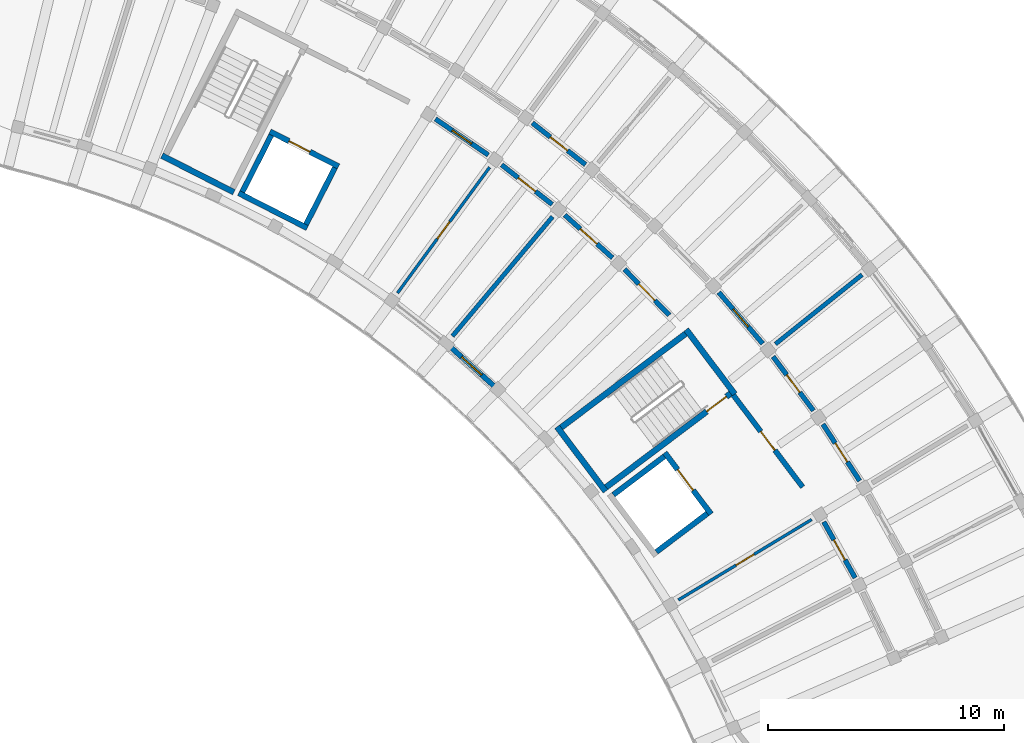
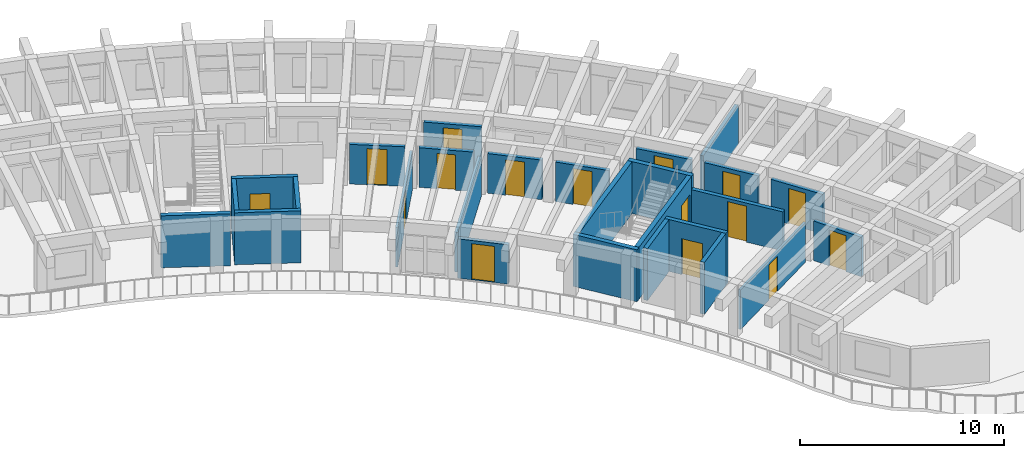
# One storey, part 42 of 62: 27 walls, 16 doors, 16 openings.
"""IFC4 building model written with IfcOpenShell, lengths in metres."""

from ifc_helpers import new_model, si_unit, direction, frame, frame_2d, origin, place, context, subcontext, project, spatial, rectangle, extrude, material, layer, layer_set, type_object, element, fill, save


model = new_model("IFC4")

# Units and contexts
model_context = context("Model", 3, precision=1e-05, world=origin(), true_north=direction((0.0, 1.0)))
body_context = subcontext(model_context, "Body", "Model", "MODEL_VIEW")
ifc_project = project(units=[si_unit("LENGTHUNIT", "METRE"), si_unit("AREAUNIT", "SQUARE_METRE"), si_unit("VOLUMEUNIT", "CUBIC_METRE"), si_unit("PLANEANGLEUNIT", "RADIAN"), si_unit("MASSUNIT", "GRAM", prefix="KILO")], contexts=[model_context])

# Site, building, storey
site_placement = place(None, origin())
site = spatial("IfcSite", under=ifc_project, at=site_placement, CompositionType="ELEMENT")
building_placement = place(site_placement, origin())
building = spatial("IfcBuilding", under=site, at=building_placement, Name="Tanwirah Colonnade Gardens", CompositionType="ELEMENT")
storey_placement = place(building_placement, frame((0.0, 0.0, 32.360107421875)))
storey = spatial("IfcBuildingStorey", under=building, at=storey_placement, Name="L09", CompositionType="ELEMENT", Elevation=32.360107421875)

# Wall, opening, door
ifc_material_1 = material(Name="Limestone architectural precast concrete C40/50", Category="masonry")
ifc_layer_1 = layer(ifc_material_1, 0.219970703125)
ifc_layer_set_1 = layer_set([ifc_layer_1], Name="Limestone architectural precast concrete C40/50")
wall_type_1 = type_object("IfcWallType", Name="EW-PC220", PredefinedType="SOLIDWALL", material=ifc_layer_set_1)
wall_1_placement = place(storey_placement, frame((151.589599609375, 92.441162109375, 0.0), z_axis=(0.0, 0.0, 1.0), x_axis=(-0.744432975017, 0.667697196121, 0.0)))
wall_1 = element("IfcWall", 1, at=wall_1_placement, inside=storey, type_object=wall_type_1, Name="Block B L09 IN Precast Facade Wall 8", PredefinedType="SOLIDWALL", context=body_context, shape_type="SweptSolid", body=[
    extrude(rectangle(XDim=2.545166015625, YDim=0.219970703125, at=frame_2d((1.2724609375, 0.0))), origin(), (0.0, 0.0, 1.0), 2.35498046875),
])
opening_1_placement = place(wall_1_placement, frame((0.70263671875, 0.0, 0.0)))
opening_1 = element("IfcOpeningElement", 2, at=opening_1_placement, cuts=wall_1, Name="Opening L09-ED111", PredefinedType="OPENING", context=body_context, shape_type="SweptSolid", body=[
    extrude(rectangle(XDim=1.139892578125, YDim=2.159912109375, at=frame_2d((0.56982421875, 1.080078125))), frame((0.0, 0.119873046875, 0.0), z_axis=(0.0, -1.0, 0.0), x_axis=(1.0, 0.0, 0.0)), (0.0, 0.0, 1.0), 0.239990234375),
])
ifc_material_2 = material(Name="Bronze aluminium glazed balcony door", Category="aluminium")
door_type_1 = type_object("IfcDoorType", Name="ED-BAL114", OperationType="NOTDEFINED", PredefinedType="DOOR", material=ifc_material_2)
door_1_placement = place(opening_1_placement, origin())
door_1 = element("IfcDoor", 3, at=door_1_placement, inside=storey, type_object=door_type_1, Name="Balcony glazed door L09-ED111", OperationType="SINGLE_SWING_RIGHT", OverallHeight=2.159912109375, OverallWidth=1.139892578125, PredefinedType="DOOR", context=body_context, shape_type="SweptSolid", body=[
    extrude(rectangle(XDim=1.139892578125, YDim=2.159912109375, at=frame_2d((0.56982421875, 1.080078125))), frame((0.0, 0.02490234375, 0.0), z_axis=(0.0, -1.0, 0.0), x_axis=(1.0, 0.0, 0.0)), (0.0, 0.0, 1.0), 0.050048828125),
])
fill(opening_1, door_1)

ifc_material_3 = material(Name="Precast concrete C40/50", Category="concrete")
ifc_layer_2 = layer(ifc_material_3, 0.205078125)
ifc_layer_set_2 = layer_set([ifc_layer_2], Name="Precast concrete C40/50")
wall_type_2 = type_object("IfcWallType", Name="IW-CORR205", PredefinedType="PARTITIONING", material=ifc_layer_set_2)
wall_2_placement = place(storey_placement, frame((166.89013671875, 84.313232421875, 0.0), z_axis=(0.0, 0.0, 1.0), x_axis=(-0.48819576874, 0.872734147025, 0.0)))
wall_2 = element("IfcWall", 4, at=wall_2_placement, inside=storey, type_object=wall_type_2, Name="Block B L09 IN Corridor Wall 3", PredefinedType="PARTITIONING", context=body_context, shape_type="SweptSolid", body=[
    extrude(rectangle(XDim=2.718017578125, YDim=0.205078125, at=frame_2d((1.35888671875, 0.0))), origin(), (0.0, 0.0, 1.0), 2.369873046875),
])
opening_2_placement = place(wall_2_placement, frame((0.8740234375, 0.0, 0.0)))
opening_2 = element("IfcOpeningElement", 5, at=opening_2_placement, cuts=wall_2, Name="Opening L09-AD1167", PredefinedType="OPENING", context=body_context, shape_type="SweptSolid", body=[
    extrude(rectangle(XDim=0.969970703125, YDim=2.14990234375, at=frame_2d((0.48486328125, 1.074951171875))), frame((0.0, 0.112548828125, 0.0), z_axis=(0.0, -1.0, 0.0), x_axis=(1.0, 0.0, 0.0)), (0.0, 0.0, 1.0), 0.22509765625),
])
ifc_material_4 = material(Name="Solid oak fire-resisting apartment entrance door")
door_type_2 = type_object("IfcDoorType", Name="ID-FLT097", OperationType="NOTDEFINED", PredefinedType="DOOR", material=ifc_material_4)
door_2_placement = place(opening_2_placement, origin())
door_2 = element("IfcDoor", 6, at=door_2_placement, inside=storey, type_object=door_type_2, Name="Apartment corridor door L09-AD1167", OperationType="SINGLE_SWING_RIGHT", OverallHeight=2.14990234375, OverallWidth=0.969970703125, PredefinedType="DOOR", context=body_context, shape_type="SweptSolid", body=[
    extrude(rectangle(XDim=0.969970703125, YDim=2.14990234375, at=frame_2d((0.48486328125, 1.074951171875))), frame((0.0, 0.02490234375, 0.0), z_axis=(0.0, -1.0, 0.0), x_axis=(1.0, 0.0, 0.0)), (0.0, 0.0, 1.0), 0.050048828125),
])
fill(opening_2, door_2)

wall_3_placement = place(storey_placement, frame((167.085205078125, 88.421142578125, 0.0), z_axis=(0.0, 0.0, 1.0), x_axis=(-0.544643612649, 0.838667595178, 0.0)))
wall_3 = element("IfcWall", 7, at=wall_3_placement, inside=storey, type_object=wall_type_2, Name="Block B L09 OUT Corridor Wall 4", PredefinedType="PARTITIONING", context=body_context, shape_type="SweptSolid", body=[
    extrude(rectangle(XDim=2.863037109375, YDim=0.205078125, at=frame_2d((1.431640625, 0.0))), origin(), (0.0, 0.0, 1.0), 2.369873046875),
])
opening_3_placement = place(wall_3_placement, frame((0.95654296875, 0.0, 0.0)))
opening_3 = element("IfcOpeningElement", 8, at=opening_3_placement, cuts=wall_3, Name="Opening L09-AD1169", PredefinedType="OPENING", context=body_context, shape_type="SweptSolid", body=[
    extrude(rectangle(XDim=0.949951171875, YDim=2.1298828125, at=frame_2d((0.47509765625, 1.06494140625))), frame((0.0, 0.112548828125, 0.0), z_axis=(0.0, -1.0, 0.0), x_axis=(1.0, 0.0, 0.0)), (0.0, 0.0, 1.0), 0.22509765625),
])
door_type_3 = type_object("IfcDoorType", Name="ID-FLT095", OperationType="NOTDEFINED", PredefinedType="DOOR", material=ifc_material_4)
door_3_placement = place(opening_3_placement, origin())
door_3 = element("IfcDoor", 9, at=door_3_placement, inside=storey, type_object=door_type_3, Name="Apartment corridor door L09-AD1169", OperationType="SINGLE_SWING_RIGHT", OverallHeight=2.1298828125, OverallWidth=0.949951171875, PredefinedType="DOOR", context=body_context, shape_type="SweptSolid", body=[
    extrude(rectangle(XDim=0.949951171875, YDim=2.1298828125, at=frame_2d((0.47509765625, 1.06494140625))), frame((0.0, 0.02490234375, 0.0), z_axis=(0.0, -1.0, 0.0), x_axis=(1.0, 0.0, 0.0)), (0.0, 0.0, 1.0), 0.050048828125),
])
fill(opening_3, door_3)

wall_4_placement = place(storey_placement, frame((165.125732421875, 91.396240234375, 0.0), z_axis=(0.0, 0.0, 1.0), x_axis=(-0.598757763243, 0.800930172335, 0.0)))
wall_4 = element("IfcWall", 10, at=wall_4_placement, inside=storey, type_object=wall_type_2, Name="Block B L09 OUT Corridor Wall 5", PredefinedType="PARTITIONING", context=body_context, shape_type="SweptSolid", body=[
    extrude(rectangle(XDim=2.86328125, YDim=0.205078125, at=frame_2d((1.431640625, 0.0))), origin(), (0.0, 0.0, 1.0), 2.369873046875),
])
opening_4_placement = place(wall_4_placement, frame((0.966552734375, 0.0, 0.0)))
opening_4 = element("IfcOpeningElement", 11, at=opening_4_placement, cuts=wall_4, Name="Opening L09-AD1170", PredefinedType="OPENING", context=body_context, shape_type="SweptSolid", body=[
    extrude(rectangle(XDim=0.929931640625, YDim=2.1201171875, at=frame_2d((0.46484375, 1.06005859375))), frame((0.0, 0.112548828125, 0.0), z_axis=(0.0, -1.0, 0.0), x_axis=(1.0, 0.0, 0.0)), (0.0, 0.0, 1.0), 0.22509765625),
])
door_type_4 = type_object("IfcDoorType", Name="ID-FLT093", OperationType="NOTDEFINED", PredefinedType="DOOR", material=ifc_material_4)
door_4_placement = place(opening_4_placement, origin())
door_4 = element("IfcDoor", 12, at=door_4_placement, inside=storey, type_object=door_type_4, Name="Apartment corridor door L09-AD1170", OperationType="SINGLE_SWING_LEFT", OverallHeight=2.1201171875, OverallWidth=0.929931640625, PredefinedType="DOOR", context=body_context, shape_type="SweptSolid", body=[
    extrude(rectangle(XDim=0.929931640625, YDim=2.1201171875, at=frame_2d((0.46484375, 1.06005859375))), frame((0.0, 0.02490234375, 0.0), z_axis=(0.0, -1.0, 0.0), x_axis=(1.0, 0.0, 0.0)), (0.0, 0.0, 1.0), 0.050048828125),
])
fill(opening_4, door_4)

wall_5_placement = place(storey_placement, frame((162.974365234375, 94.23583984375, 0.0), z_axis=(0.0, 0.0, 1.0), x_axis=(-0.650194272684, 0.759767996015, 0.0)))
wall_5 = element("IfcWall", 13, at=wall_5_placement, inside=storey, type_object=wall_type_2, Name="Block B L09 OUT Corridor Wall 6", PredefinedType="PARTITIONING", context=body_context, shape_type="SweptSolid", body=[
    extrude(rectangle(XDim=2.863037109375, YDim=0.205078125, at=frame_2d((1.431640625, 0.0))), origin(), (0.0, 0.0, 1.0), 2.369873046875),
])
opening_5_placement = place(wall_5_placement, frame((0.9365234375, 0.0, 0.0)))
opening_5 = element("IfcOpeningElement", 14, at=opening_5_placement, cuts=wall_5, Name="Opening L09-AD1171", PredefinedType="OPENING", context=body_context, shape_type="SweptSolid", body=[
    extrude(rectangle(XDim=0.989990234375, YDim=2.159912109375, at=frame_2d((0.4951171875, 1.080078125))), frame((0.0, 0.112548828125, 0.0), z_axis=(0.0, -1.0, 0.0), x_axis=(1.0, 0.0, 0.0)), (0.0, 0.0, 1.0), 0.22509765625),
])
door_type_5 = type_object("IfcDoorType", Name="ID-FLT099", OperationType="NOTDEFINED", PredefinedType="DOOR", material=ifc_material_4)
door_5_placement = place(opening_5_placement, origin())
door_5 = element("IfcDoor", 15, at=door_5_placement, inside=storey, type_object=door_type_5, Name="Apartment corridor door L09-AD1171", OperationType="SINGLE_SWING_RIGHT", OverallHeight=2.159912109375, OverallWidth=0.989990234375, PredefinedType="DOOR", context=body_context, shape_type="SweptSolid", body=[
    extrude(rectangle(XDim=0.989990234375, YDim=2.159912109375, at=frame_2d((0.4951171875, 1.080078125))), frame((0.0, 0.02490234375, 0.0), z_axis=(0.0, -1.0, 0.0), x_axis=(1.0, 0.0, 0.0)), (0.0, 0.0, 1.0), 0.050048828125),
])
fill(opening_5, door_5)

wall_6_placement = place(storey_placement, frame((159.01708984375, 95.442626953125, 0.0), z_axis=(0.0, 0.0, 1.0), x_axis=(-0.698840007829, 0.715278018296, 0.0)))
wall_6 = element("IfcWall", 16, at=wall_6_placement, inside=storey, type_object=wall_type_2, Name="Block B L09 IN Corridor Wall 7", PredefinedType="PARTITIONING", context=body_context, shape_type="SweptSolid", body=[
    extrude(rectangle(XDim=2.718017578125, YDim=0.205078125, at=frame_2d((1.35888671875, 0.0))), origin(), (0.0, 0.0, 1.0), 2.369873046875),
])
opening_6_placement = place(wall_6_placement, frame((0.8740234375, 0.0, 0.0)))
opening_6 = element("IfcOpeningElement", 17, at=opening_6_placement, cuts=wall_6, Name="Opening L09-AD1174", PredefinedType="OPENING", context=body_context, shape_type="SweptSolid", body=[
    extrude(rectangle(XDim=0.969970703125, YDim=2.14990234375, at=frame_2d((0.48486328125, 1.074951171875))), frame((0.0, 0.112548828125, 0.0), z_axis=(0.0, -1.0, 0.0), x_axis=(1.0, 0.0, 0.0)), (0.0, 0.0, 1.0), 0.22509765625),
])
door_6_placement = place(opening_6_placement, origin())
door_6 = element("IfcDoor", 18, at=door_6_placement, inside=storey, type_object=door_type_2, Name="Apartment corridor door L09-AD1174", OperationType="SINGLE_SWING_RIGHT", OverallHeight=2.14990234375, OverallWidth=0.969970703125, PredefinedType="DOOR", context=body_context, shape_type="SweptSolid", body=[
    extrude(rectangle(XDim=0.969970703125, YDim=2.14990234375, at=frame_2d((0.48486328125, 1.074951171875))), frame((0.0, 0.02490234375, 0.0), z_axis=(0.0, -1.0, 0.0), x_axis=(1.0, 0.0, 0.0)), (0.0, 0.0, 1.0), 0.050048828125),
])
fill(opening_6, door_6)

wall_7_placement = place(storey_placement, frame((156.612548828125, 97.870849609375, 0.0), z_axis=(0.0, 0.0, 1.0), x_axis=(-0.744418559135, 0.667713268413, 0.0)))
wall_7 = element("IfcWall", 19, at=wall_7_placement, inside=storey, type_object=wall_type_2, Name="Block B L09 IN Corridor Wall 8", PredefinedType="PARTITIONING", context=body_context, shape_type="SweptSolid", body=[
    extrude(rectangle(XDim=2.71826171875, YDim=0.205078125, at=frame_2d((1.359130859375, 0.0))), origin(), (0.0, 0.0, 1.0), 2.369873046875),
])
opening_7_placement = place(wall_7_placement, frame((0.884033203125, 0.0, 0.0)))
opening_7 = element("IfcOpeningElement", 20, at=opening_7_placement, cuts=wall_7, Name="Opening L09-AD1176", PredefinedType="OPENING", context=body_context, shape_type="SweptSolid", body=[
    extrude(rectangle(XDim=0.949951171875, YDim=2.1298828125, at=frame_2d((0.47509765625, 1.06494140625))), frame((0.0, 0.112548828125, 0.0), z_axis=(0.0, -1.0, 0.0), x_axis=(1.0, 0.0, 0.0)), (0.0, 0.0, 1.0), 0.22509765625),
])
door_7_placement = place(opening_7_placement, origin())
door_7 = element("IfcDoor", 21, at=door_7_placement, inside=storey, type_object=door_type_3, Name="Apartment corridor door L09-AD1176", OperationType="SINGLE_SWING_LEFT", OverallHeight=2.1298828125, OverallWidth=0.949951171875, PredefinedType="DOOR", context=body_context, shape_type="SweptSolid", body=[
    extrude(rectangle(XDim=0.949951171875, YDim=2.1298828125, at=frame_2d((0.47509765625, 1.06494140625))), frame((0.0, 0.02490234375, 0.0), z_axis=(0.0, -1.0, 0.0), x_axis=(1.0, 0.0, 0.0)), (0.0, 0.0, 1.0), 0.050048828125),
])
fill(opening_7, door_7)

wall_8_placement = place(storey_placement, frame((155.46728515625, 101.82080078125, 0.0), z_axis=(0.0, 0.0, 1.0), x_axis=(-0.786806323554, 0.617199975061, 0.0)))
wall_8 = element("IfcWall", 22, at=wall_8_placement, inside=storey, type_object=wall_type_2, Name="Block B L09 OUT Corridor Wall 9", PredefinedType="PARTITIONING", context=body_context, shape_type="SweptSolid", body=[
    extrude(rectangle(XDim=2.863037109375, YDim=0.205078125, at=frame_2d((1.431640625, 0.0))), origin(), (0.0, 0.0, 1.0), 2.369873046875),
])
opening_8_placement = place(wall_8_placement, frame((0.966552734375, 0.0, 0.0)))
opening_8 = element("IfcOpeningElement", 23, at=opening_8_placement, cuts=wall_8, Name="Opening L09-AD1178", PredefinedType="OPENING", context=body_context, shape_type="SweptSolid", body=[
    extrude(rectangle(XDim=0.929931640625, YDim=2.1201171875, at=frame_2d((0.46484375, 1.06005859375))), frame((0.0, 0.112548828125, 0.0), z_axis=(0.0, -1.0, 0.0), x_axis=(1.0, 0.0, 0.0)), (0.0, 0.0, 1.0), 0.22509765625),
])
door_8_placement = place(opening_8_placement, origin())
door_8 = element("IfcDoor", 24, at=door_8_placement, inside=storey, type_object=door_type_4, Name="Apartment corridor door L09-AD1178", OperationType="SINGLE_SWING_LEFT", OverallHeight=2.1201171875, OverallWidth=0.929931640625, PredefinedType="DOOR", context=body_context, shape_type="SweptSolid", body=[
    extrude(rectangle(XDim=0.929931640625, YDim=2.1201171875, at=frame_2d((0.46484375, 1.06005859375))), frame((0.0, 0.02490234375, 0.0), z_axis=(0.0, -1.0, 0.0), x_axis=(1.0, 0.0, 0.0)), (0.0, 0.0, 1.0), 0.050048828125),
])
fill(opening_8, door_8)

wall_9_placement = place(storey_placement, frame((154.05322265625, 100.135498046875, 0.0), z_axis=(0.0, 0.0, 1.0), x_axis=(-0.786835457019, 0.617162833924, 0.0)))
wall_9 = element("IfcWall", 25, at=wall_9_placement, inside=storey, type_object=wall_type_2, Name="Block B L09 IN Corridor Wall 9", PredefinedType="PARTITIONING", context=body_context, shape_type="SweptSolid", body=[
    extrude(rectangle(XDim=2.718017578125, YDim=0.205078125, at=frame_2d((1.35888671875, 0.0))), origin(), (0.0, 0.0, 1.0), 2.369873046875),
])
opening_9_placement = place(wall_9_placement, frame((0.89404296875, 0.0, 0.0)))
opening_9 = element("IfcOpeningElement", 26, at=opening_9_placement, cuts=wall_9, Name="Opening L09-AD1179", PredefinedType="OPENING", context=body_context, shape_type="SweptSolid", body=[
    extrude(rectangle(XDim=0.929931640625, YDim=2.1201171875, at=frame_2d((0.46484375, 1.06005859375))), frame((0.0, 0.112548828125, 0.0), z_axis=(0.0, -1.0, 0.0), x_axis=(1.0, 0.0, 0.0)), (0.0, 0.0, 1.0), 0.22509765625),
])
door_9_placement = place(opening_9_placement, origin())
door_9 = element("IfcDoor", 27, at=door_9_placement, inside=storey, type_object=door_type_4, Name="Apartment corridor door L09-AD1179", OperationType="SINGLE_SWING_RIGHT", OverallHeight=2.1201171875, OverallWidth=0.929931640625, PredefinedType="DOOR", context=body_context, shape_type="SweptSolid", body=[
    extrude(rectangle(XDim=0.929931640625, YDim=2.1201171875, at=frame_2d((0.46484375, 1.06005859375))), frame((0.0, 0.02490234375, 0.0), z_axis=(0.0, -1.0, 0.0), x_axis=(1.0, 0.0, 0.0)), (0.0, 0.0, 1.0), 0.050048828125),
])
fill(opening_9, door_9)

wall_10_placement = place(storey_placement, frame((151.35009765625, 102.226318359375, 0.0), z_axis=(0.0, 0.0, 1.0), x_axis=(-0.825752009056, 0.56403334967, 0.0)))
wall_10 = element("IfcWall", 28, at=wall_10_placement, inside=storey, type_object=wall_type_2, Name="Block B L09 IN Corridor Wall 10", PredefinedType="PARTITIONING", context=body_context, shape_type="SweptSolid", body=[
    extrude(rectangle(XDim=2.71826171875, YDim=0.205078125, at=frame_2d((1.359130859375, 0.0))), origin(), (0.0, 0.0, 1.0), 2.369873046875),
])
opening_10_placement = place(wall_10_placement, frame((0.864013671875, 0.0, 0.0)))
opening_10 = element("IfcOpeningElement", 29, at=opening_10_placement, cuts=wall_10, Name="Opening L09-AD1182", PredefinedType="OPENING", context=body_context, shape_type="SweptSolid", body=[
    extrude(rectangle(XDim=0.989990234375, YDim=2.159912109375, at=frame_2d((0.4951171875, 1.080078125))), frame((0.0, 0.112548828125, 0.0), z_axis=(0.0, -1.0, 0.0), x_axis=(1.0, 0.0, 0.0)), (0.0, 0.0, 1.0), 0.22509765625),
])
door_10_placement = place(opening_10_placement, origin())
door_10 = element("IfcDoor", 30, at=door_10_placement, inside=storey, type_object=door_type_5, Name="Apartment corridor door L09-AD1182", OperationType="SINGLE_SWING_LEFT", OverallHeight=2.159912109375, OverallWidth=0.989990234375, PredefinedType="DOOR", context=body_context, shape_type="SweptSolid", body=[
    extrude(rectangle(XDim=0.989990234375, YDim=2.159912109375, at=frame_2d((0.4951171875, 1.080078125))), frame((0.0, 0.02490234375, 0.0), z_axis=(0.0, -1.0, 0.0), x_axis=(1.0, 0.0, 0.0)), (0.0, 0.0, 1.0), 0.050048828125),
])
fill(opening_10, door_10)

# Walls
ifc_layer_3 = layer(ifc_material_3, 0.18505859375)
ifc_layer_set_3 = layer_set([ifc_layer_3], Name="Precast concrete C40/50")
wall_type_3 = type_object("IfcWallType", Name="IW-DEM185", PredefinedType="PARTITIONING", material=ifc_layer_set_3)
wall_11_placement = place(storey_placement, frame((163.51416015625, 94.2197265625, 0.0), z_axis=(0.0, 0.0, 1.0), x_axis=(0.780807994362, 0.624771058821, 0.0)))
element("IfcWall", 31, at=wall_11_placement, inside=storey, type_object=wall_type_3, Name="Block B L09 Radial Partition 5", PredefinedType="PARTITIONING", context=body_context, shape_type="SweptSolid", body=[
    extrude(rectangle(XDim=4.7001953125, YDim=0.18505859375, at=frame_2d((2.35009765625, 0.0))), origin(), (0.0, 0.0, 1.0), 2.369873046875),
])
wall_12_placement = place(storey_placement, frame((149.8291015625, 94.55712890625, 0.0), z_axis=(0.0, 0.0, 1.0), x_axis=(0.642789470807, 0.766042881449, 0.0)))
element("IfcWall", 32, at=wall_12_placement, inside=storey, type_object=wall_type_3, Name="Block B L09 Inner Radial Partition 8", PredefinedType="PARTITIONING", context=body_context, shape_type="SweptSolid", body=[
    extrude(rectangle(XDim=6.60009765625, YDim=0.18505859375, at=frame_2d((3.300048828125, 0.0))), origin(), (0.0, 0.0, 1.0), 2.369873046875),
])

# Wall, opening, door
ifc_material_5 = material(Name="Autoclaved aerated masonry blockwork", Category="masonry")
ifc_layer_4 = layer(ifc_material_5, 0.219970703125)
ifc_layer_set_4 = layer_set([ifc_layer_4], Name="Autoclaved aerated masonry blockwork")
wall_type_4 = type_object("IfcWallType", Name="IW-FFL220", PredefinedType="PARTITIONING", material=ifc_layer_set_4)
wall_13_placement = place(storey_placement, frame((161.7177734375, 92.072509765625, 0.0), z_axis=(0.0, 0.0, 1.0), x_axis=(0.601792209296, -0.79865270101, 0.0)))
wall_13 = element("IfcWall", 33, at=wall_13_placement, inside=storey, type_object=wall_type_4, Name="CORE-B1 L09 Enclosed Lobby Fire Wall", PredefinedType="PARTITIONING", context=body_context, shape_type="SweptSolid", body=[
    extrude(rectangle(XDim=4.89990234375, YDim=0.219970703125, at=frame_2d((2.449951171875, 0.0))), origin(), (0.0, 0.0, 1.0), 2.33984375),
])
opening_11_placement = place(wall_13_placement, frame((1.949951171875, 0.0, 0.0)))
opening_11 = element("IfcOpeningElement", 34, at=opening_11_placement, cuts=wall_13, Name="Opening L09-LD089", PredefinedType="OPENING", context=body_context, shape_type="SweptSolid", body=[
    extrude(rectangle(XDim=1.0, YDim=2.14990234375, at=frame_2d((0.5, 1.074951171875))), frame((0.0, 0.119873046875, 0.0), z_axis=(0.0, -1.0, 0.0), x_axis=(1.0, 0.0, 0.0)), (0.0, 0.0, 1.0), 0.239990234375),
])
ifc_material_6 = material(Name="Acoustic fire-resisting lobby door")
door_type_6 = type_object("IfcDoorType", Name="ID-FFL100", OperationType="NOTDEFINED", PredefinedType="DOOR", material=ifc_material_6)
door_11_placement = place(opening_11_placement, origin())
door_11 = element("IfcDoor", 35, at=door_11_placement, inside=storey, type_object=door_type_6, Name="CORE-B1 L09 Lobby Fire Door L09-LD089", OperationType="SINGLE_SWING_RIGHT", OverallHeight=2.14990234375, OverallWidth=1.0, PredefinedType="DOOR", context=body_context, shape_type="SweptSolid", body=[
    extrude(rectangle(XDim=1.0, YDim=2.14990234375, at=frame_2d((0.5, 1.074951171875))), frame((0.0, 0.02490234375, 0.0), z_axis=(0.0, -1.0, 0.0), x_axis=(1.0, 0.0, 0.0)), (0.0, 0.0, 1.0), 0.050048828125),
])
fill(opening_11, door_11)

ifc_material_7 = material(Name="Moisture-resistant gypsum stud partition")
ifc_layer_5 = layer(ifc_material_7, 0.125)
ifc_layer_set_5 = layer_set([ifc_layer_5], Name="Moisture-resistant gypsum stud partition")
wall_type_5 = type_object("IfcWallType", Name="IW-INT125", PredefinedType="PARTITIONING", material=ifc_layer_set_5)
wall_14_placement = place(storey_placement, frame((159.399169921875, 83.3740234375, 0.0), z_axis=(0.0, 0.0, 1.0), x_axis=(0.85616819337, 0.516697227263, 0.0)))
wall_14 = element("IfcWall", 36, at=wall_14_placement, inside=storey, type_object=wall_type_5, Name="Block B L09 Inner Radial Partition 3", PredefinedType="PARTITIONING", context=body_context, shape_type="SweptSolid", body=[
    extrude(rectangle(XDim=6.599853515625, YDim=0.125, at=frame_2d((3.2998046875, 0.0))), origin(), (0.0, 0.0, 1.0), 2.369873046875),
])
opening_12_placement = place(wall_14_placement, frame((2.85498046875, 0.0, 0.0)))
opening_12 = element("IfcOpeningElement", 37, at=opening_12_placement, cuts=wall_14, Name="Opening L09-RD1168", PredefinedType="OPENING", context=body_context, shape_type="SweptSolid", body=[
    extrude(rectangle(XDim=0.889892578125, YDim=2.10009765625, at=frame_2d((0.44482421875, 1.050048828125))), frame((0.0, 0.072509765625, 0.0), z_axis=(0.0, -1.0, 0.0), x_axis=(1.0, 0.0, 0.0)), (0.0, 0.0, 1.0), 0.14501953125),
])
ifc_material_8 = material(Name="Painted hardwood bedroom door", Category="wood")
door_type_7 = type_object("IfcDoorType", Name="ID-RM089", OperationType="NOTDEFINED", PredefinedType="DOOR", material=ifc_material_8)
door_12_placement = place(opening_12_placement, origin())
door_12 = element("IfcDoor", 38, at=door_12_placement, inside=storey, type_object=door_type_7, Name="Internal apartment door L09-RD1168", OperationType="SINGLE_SWING_RIGHT", OverallHeight=2.10009765625, OverallWidth=0.889892578125, PredefinedType="DOOR", context=body_context, shape_type="SweptSolid", body=[
    extrude(rectangle(XDim=0.889892578125, YDim=2.10009765625, at=frame_2d((0.44482421875, 1.050048828125))), frame((0.0, 0.02490234375, 0.0), z_axis=(0.0, -1.0, 0.0), x_axis=(1.0, 0.0, 0.0)), (0.0, 0.0, 1.0), 0.050048828125),
])
fill(opening_12, door_12)

wall_15_placement = place(storey_placement, frame((147.502685546875, 96.3818359375, 0.0), z_axis=(0.0, 0.0, 1.0), x_axis=(0.590924179316, 0.806727100263, 0.0)))
wall_15 = element("IfcWall", 39, at=wall_15_placement, inside=storey, type_object=wall_type_5, Name="Block B L09 Inner Radial Partition 9", PredefinedType="PARTITIONING", context=body_context, shape_type="SweptSolid", body=[
    extrude(rectangle(XDim=6.60009765625, YDim=0.125, at=frame_2d((3.300048828125, 0.0))), origin(), (0.0, 0.0, 1.0), 2.369873046875),
])
opening_13_placement = place(wall_15_placement, frame((2.85498046875, 0.0, 0.0)))
opening_13 = element("IfcOpeningElement", 40, at=opening_13_placement, cuts=wall_15, Name="Opening L09-RD1180", PredefinedType="OPENING", context=body_context, shape_type="SweptSolid", body=[
    extrude(rectangle(XDim=0.889892578125, YDim=2.10009765625, at=frame_2d((0.44482421875, 1.050048828125))), frame((0.0, 0.072509765625, 0.0), z_axis=(0.0, -1.0, 0.0), x_axis=(1.0, 0.0, 0.0)), (0.0, 0.0, 1.0), 0.14501953125),
])
door_13_placement = place(opening_13_placement, origin())
door_13 = element("IfcDoor", 41, at=door_13_placement, inside=storey, type_object=door_type_7, Name="Internal apartment door L09-RD1180", OperationType="SINGLE_SWING_RIGHT", OverallHeight=2.10009765625, OverallWidth=0.889892578125, PredefinedType="DOOR", context=body_context, shape_type="SweptSolid", body=[
    extrude(rectangle(XDim=0.889892578125, YDim=2.10009765625, at=frame_2d((0.44482421875, 1.050048828125))), frame((0.0, 0.02490234375, 0.0), z_axis=(0.0, -1.0, 0.0), x_axis=(1.0, 0.0, 0.0)), (0.0, 0.0, 1.0), 0.050048828125),
])
fill(opening_13, door_13)

# Walls
ifc_material_9 = material(Name="Concrete C45/55", Category="concrete")
ifc_layer_6 = layer(ifc_material_9, 0.25)
ifc_layer_set_6 = layer_set([ifc_layer_6], Name="Concrete C45/55")
wall_type_6 = type_object("IfcWallType", Name="SW-CORE250", PredefinedType="SHEAR", material=ifc_layer_set_6)
wall_16_placement = place(storey_placement, frame((159.706787109375, 94.657958984375, 0.0), z_axis=(0.0, 0.0, 1.0), x_axis=(-0.798639633744, -0.601809550782, 0.0)))
element("IfcWall", 42, at=wall_16_placement, inside=storey, type_object=wall_type_6, Name="CORE-B1 L09 Stair Shaft Shear Wall LEFT", PredefinedType="SHEAR", context=body_context, shape_type="SweptSolid", body=[
    extrude(rectangle(XDim=6.599853515625, YDim=0.25, at=frame_2d((3.2998046875, 0.0))), origin(), (0.0, 0.0, 1.0), 3.10986328125),
])
wall_17_placement = place(storey_placement, frame((154.2607421875, 90.710693359375, 0.0), z_axis=(0.0, 0.0, 1.0), x_axis=(0.601825826579, -0.798627368967, 0.0)))
element("IfcWall", 43, at=wall_17_placement, inside=storey, type_object=wall_type_6, Name="CORE-B1 L09 Stair Shaft Shear Wall FAR", PredefinedType="SHEAR", context=body_context, shape_type="SweptSolid", body=[
    extrude(rectangle(XDim=3.420166015625, YDim=0.25, at=frame_2d((1.7099609375, 0.0))), origin(), (0.0, 0.0, 1.0), 3.10986328125),
])
wall_18_placement = place(storey_placement, frame((159.7314453125, 94.8330078125, 0.0), z_axis=(0.0, 0.0, 1.0), x_axis=(0.601814606132, -0.798635824294, 0.0)))
element("IfcWall", 44, at=wall_18_placement, inside=storey, type_object=wall_type_6, Name="CORE-B1 L09 Stair Shaft Shear Wall NEAR", PredefinedType="SHEAR", context=body_context, shape_type="SweptSolid", body=[
    extrude(rectangle(XDim=3.419921875, YDim=0.25, at=frame_2d((1.7099609375, 0.0))), origin(), (0.0, 0.0, 1.0), 3.10986328125),
])

# Wall, opening, door
wall_19_placement = place(storey_placement, frame((161.614501953125, 92.126220703125, 0.0), z_axis=(0.0, 0.0, 1.0), x_axis=(-0.798639633744, -0.601809550782, 0.0)))
wall_19 = element("IfcWall", 45, at=wall_19_placement, inside=storey, type_object=wall_type_6, Name="CORE-B1 L09 Stair Shaft Shear Wall RIGHT", PredefinedType="SHEAR", context=body_context, shape_type="SweptSolid", body=[
    extrude(rectangle(XDim=6.599853515625, YDim=0.25, at=frame_2d((3.2998046875, 0.0))), origin(), (0.0, 0.0, 1.0), 3.10986328125),
])
opening_14_placement = place(wall_19_placement, frame((0.219970703125, 0.0, 0.0)))
opening_14 = element("IfcOpeningElement", 46, at=opening_14_placement, cuts=wall_19, Name="Opening L09-SD075", PredefinedType="OPENING", context=body_context, shape_type="SweptSolid", body=[
    extrude(rectangle(XDim=1.050048828125, YDim=2.14990234375, at=frame_2d((0.52490234375, 1.074951171875))), frame((0.0, 0.135009765625, 0.0), z_axis=(0.0, -1.0, 0.0), x_axis=(1.0, 0.0, 0.0)), (0.0, 0.0, 1.0), 0.27001953125),
])
ifc_material_10 = material(Name="Steel fire-resisting stair enclosure door", Category="steel")
door_type_8 = type_object("IfcDoorType", Name="ID-ST105", OperationType="NOTDEFINED", PredefinedType="DOOR", material=ifc_material_10)
door_14_placement = place(opening_14_placement, origin())
door_14 = element("IfcDoor", 47, at=door_14_placement, inside=storey, type_object=door_type_8, Name="CORE-B1 L09 Stair Fire Door L09-SD075", OperationType="SINGLE_SWING_RIGHT", OverallHeight=2.14990234375, OverallWidth=1.050048828125, PredefinedType="DOOR", context=body_context, shape_type="SweptSolid", body=[
    extrude(rectangle(XDim=1.050048828125, YDim=2.14990234375, at=frame_2d((0.52490234375, 1.074951171875))), frame((0.0, 0.02490234375, 0.0), z_axis=(0.0, -1.0, 0.0), x_axis=(1.0, 0.0, 0.0)), (0.0, 0.0, 1.0), 0.050048828125),
])
fill(opening_14, door_14)

# Wall
wall_20_placement = place(storey_placement, frame((137.51953125, 102.203369140625, 0.0), z_axis=(0.0, 0.0, 1.0), x_axis=(0.891003540237, -0.453996356025, 0.0)))
element("IfcWall", 48, at=wall_20_placement, inside=storey, type_object=wall_type_6, Name="CORE-B2 L09 Stair Shaft Shear Wall FAR", PredefinedType="SHEAR", context=body_context, shape_type="SweptSolid", body=[
    extrude(rectangle(XDim=3.420166015625, YDim=0.25, at=frame_2d((1.7099609375, 0.0))), origin(), (0.0, 0.0, 1.0), 3.10986328125),
])

# Wall, opening, door
ifc_layer_7 = layer(ifc_material_9, 0.22998046875)
ifc_layer_set_7 = layer_set([ifc_layer_7], Name="Concrete C45/55")
wall_type_7 = type_object("IfcWallType", Name="SW-LIFT230", PredefinedType="SHEAR", material=ifc_layer_set_7)
wall_21_placement = place(storey_placement, frame((158.827392578125, 89.618896484375, 0.0), z_axis=(0.0, 0.0, 1.0), x_axis=(0.601819781152, -0.798631924615, 0.0)))
wall_21 = element("IfcWall", 49, at=wall_21_placement, inside=storey, type_object=wall_type_7, Name="CORE-B1 L09 Lift Shaft Wall FRONT", PredefinedType="SHEAR", context=body_context, shape_type="SweptSolid", body=[
    extrude(rectangle(XDim=3.260009765625, YDim=0.22998046875, at=frame_2d((1.6298828125, 0.0))), origin(), (0.0, 0.0, 1.0), 3.10986328125),
])
opening_15_placement = place(wall_21_placement, frame((0.89990234375, 0.0, 0.0)))
opening_15 = element("IfcOpeningElement", 50, at=opening_15_placement, cuts=wall_21, Name="Opening L09-LD-FL-B1", PredefinedType="OPENING", context=body_context, shape_type="SweptSolid", body=[
    extrude(rectangle(XDim=1.10009765625, YDim=2.14990234375, at=frame_2d((0.550048828125, 1.074951171875))), frame((0.0, 0.125, 0.0), z_axis=(0.0, -1.0, 0.0), x_axis=(1.0, 0.0, 0.0)), (0.0, 0.0, 1.0), 0.25),
])
ifc_material_11 = material(Name="Stainless steel sliding fire lift landing door", Category="steel")
door_type_9 = type_object("IfcDoorType", Name="LD-FF11", OperationType="DOUBLE_DOOR_SLIDING", PredefinedType="DOOR", material=ifc_material_11)
door_15_placement = place(opening_15_placement, origin())
door_15 = element("IfcDoor", 51, at=door_15_placement, inside=storey, type_object=door_type_9, Name="Lift FL-B1 L09 Sliding Landing Door", OperationType="DOUBLE_DOOR_SLIDING", OverallHeight=2.14990234375, OverallWidth=1.10009765625, PredefinedType="DOOR", context=body_context, shape_type="SweptSolid", body=[
    extrude(rectangle(XDim=1.10009765625, YDim=2.14990234375, at=frame_2d((0.550048828125, 1.074951171875))), frame((0.0, 0.02490234375, 0.0), z_axis=(0.0, -1.0, 0.0), x_axis=(1.0, 0.0, 0.0)), (0.0, 0.0, 1.0), 0.050048828125),
])
fill(opening_15, door_15)

# Walls
for number, where, z_axis, x_axis, name in (
    (52, (158.8046875, 89.4580078125, 0.0), (0.0, 0.0, 1.0), (-0.798608971494, -0.601850239387, 0.0), "CORE-B1 L09 Lift Shaft Wall SIDEA"),
    (53, (160.628173828125, 87.0380859375, 0.0), (0.0, 0.0, 1.0), (-0.798608971494, -0.601850239387, 0.0), "CORE-B1 L09 Lift Shaft Wall SIDEB"),
):
    element("IfcWall", number, at=place(storey_placement, frame(where, z_axis=z_axis, x_axis=x_axis)), inside=storey, type_object=wall_type_7, Name=name, PredefinedType="SHEAR", context=body_context, shape_type="SweptSolid", body=[
        extrude(rectangle(XDim=2.699951171875, YDim=0.22998046875, at=frame_2d((1.35009765625, 0.0))), origin(), (0.0, 0.0, 1.0), 3.10986328125),
    ])

# Wall, opening, door
wall_22_placement = place(storey_placement, frame((142.1025390625, 103.223876953125, 0.0), z_axis=(0.0, 0.0, 1.0), x_axis=(0.891001200497, -0.454000947921, 0.0)))
wall_22 = element("IfcWall", 54, at=wall_22_placement, inside=storey, type_object=wall_type_7, Name="CORE-B2 L09 Lift Shaft Wall FRONT", PredefinedType="SHEAR", context=body_context, shape_type="SweptSolid", body=[
    extrude(rectangle(XDim=3.259765625, YDim=0.22998046875, at=frame_2d((1.6298828125, 0.0))), origin(), (0.0, 0.0, 1.0), 3.10986328125),
])
opening_16_placement = place(wall_22_placement, frame((0.89990234375, 0.0, 0.0)))
opening_16 = element("IfcOpeningElement", 55, at=opening_16_placement, cuts=wall_22, Name="Opening L09-LD-PL-B2", PredefinedType="OPENING", context=body_context, shape_type="SweptSolid", body=[
    extrude(rectangle(XDim=1.0, YDim=2.14990234375, at=frame_2d((0.5, 1.074951171875))), frame((0.0, 0.125, 0.0), z_axis=(0.0, -1.0, 0.0), x_axis=(1.0, 0.0, 0.0)), (0.0, 0.0, 1.0), 0.25),
])
ifc_material_12 = material(Name="Bronze stainless steel sliding lift landing door", Category="steel")
door_type_10 = type_object("IfcDoorType", Name="LD-PS10", OperationType="DOUBLE_DOOR_SLIDING", PredefinedType="DOOR", material=ifc_material_12)
door_16_placement = place(opening_16_placement, origin())
door_16 = element("IfcDoor", 56, at=door_16_placement, inside=storey, type_object=door_type_10, Name="Lift PL-B2 L09 Sliding Landing Door", OperationType="DOUBLE_DOOR_SLIDING", OverallHeight=2.14990234375, OverallWidth=1.0, PredefinedType="DOOR", context=body_context, shape_type="SweptSolid", body=[
    extrude(rectangle(XDim=1.0, YDim=2.14990234375, at=frame_2d((0.5, 1.074951171875))), frame((0.0, 0.02490234375, 0.0), z_axis=(0.0, -1.0, 0.0), x_axis=(1.0, 0.0, 0.0)), (0.0, 0.0, 1.0), 0.050048828125),
])
fill(opening_16, door_16)

# Walls
wall_23_placement = place(storey_placement, frame((140.772216796875, 100.61328125, 0.0), z_axis=(0.0, 0.0, 1.0), x_axis=(0.891016635648, -0.453970654337, 0.0)))
element("IfcWall", 57, at=wall_23_placement, inside=storey, type_object=wall_type_7, Name="CORE-B2 L09 Lift Shaft Wall BACK", PredefinedType="SHEAR", context=body_context, shape_type="SweptSolid", body=[
    extrude(rectangle(XDim=3.260009765625, YDim=0.22998046875, at=frame_2d((1.6298828125, 0.0))), origin(), (0.0, 0.0, 1.0), 3.10986328125),
])
for number, where, z_axis, x_axis, name in (
    (58, (142.15283203125, 103.0693359375, 0.0), (0.0, 0.0, 1.0), (-0.454000278178, -0.891001541758, 0.0), "CORE-B2 L09 Lift Shaft Wall SIDEA"),
    (59, (144.8525390625, 101.693603515625, 0.0), (0.0, 0.0, 1.0), (-0.454036857101, -0.890982902414, 0.0), "CORE-B2 L09 Lift Shaft Wall SIDEB"),
):
    element("IfcWall", number, at=place(storey_placement, frame(where, z_axis=z_axis, x_axis=x_axis)), inside=storey, type_object=wall_type_7, Name=name, PredefinedType="SHEAR", context=body_context, shape_type="SweptSolid", body=[
        extrude(rectangle(XDim=2.699951171875, YDim=0.22998046875, at=frame_2d((1.35009765625, 0.0))), origin(), (0.0, 0.0, 1.0), 3.10986328125),
    ])

save(model, "model.ifc")
